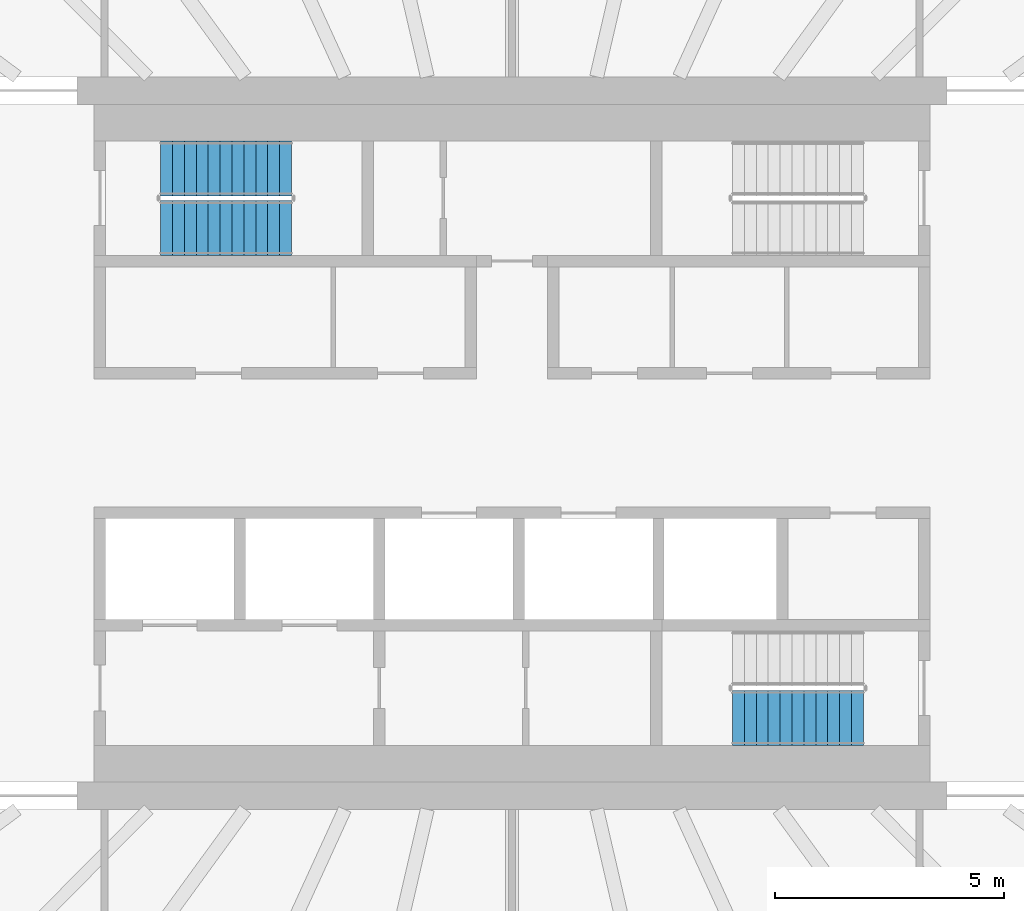
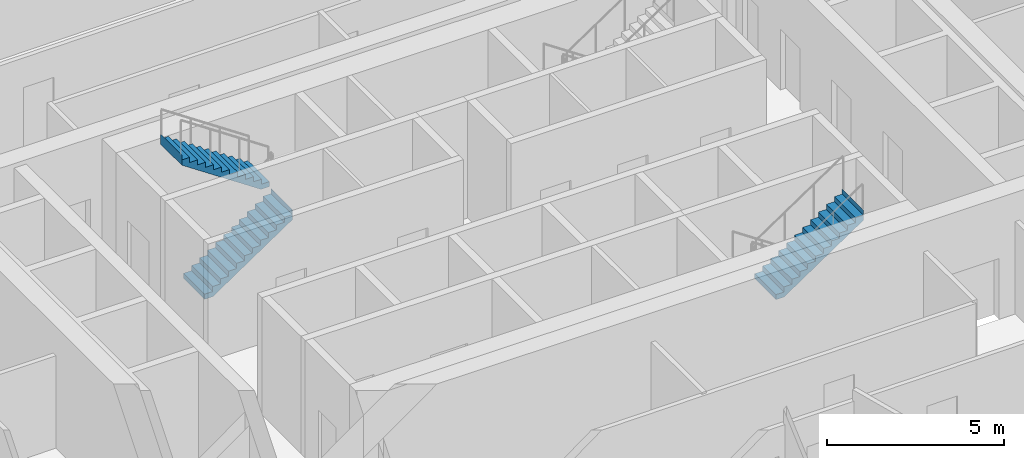
# One storey, part 17 of 24: 3 stair flights, 2 elements without a shape of their own.
"""IFC4 building model written with IfcOpenShell, lengths in metres."""

from ifc_helpers import new_model, si_unit, direction, frame, origin, place, context, subcontext, project, spatial, triangles, material, type_object, element, aggregate, save


model = new_model("IFC4")

# Units and contexts
model_context = context("Model", 3, precision=1e-05, world=origin(), true_north=direction((0.0, 1.0)))
body_context = subcontext(model_context, "Body", "Model", "MODEL_VIEW")
ifc_project = project(units=[si_unit("LENGTHUNIT", "METRE"), si_unit("AREAUNIT", "SQUARE_METRE"), si_unit("VOLUMEUNIT", "CUBIC_METRE"), si_unit("PLANEANGLEUNIT", "RADIAN"), si_unit("MASSUNIT", "GRAM", prefix="KILO")], contexts=[model_context])

# Site, building, storey
site_placement = place(None, origin())
site = spatial("IfcSite", under=ifc_project, at=site_placement, CompositionType="ELEMENT")
building_placement = place(site_placement, origin())
building = spatial("IfcBuilding", under=site, at=building_placement, Name="Sahrelin Media Tower", CompositionType="ELEMENT")
storey_placement = place(building_placement, frame((0.0, 0.0, 71.39990234375)))
storey = spatial("IfcBuildingStorey", under=building, at=storey_placement, Name="L12", CompositionType="ELEMENT", Elevation=71.39990234375)

# Stair, stair flights
ifc_material = material(Name="Concrete C40/50", Category="concrete")
stair_type = type_object("IfcStairType", Name="Exit stair 1200", PredefinedType="HALF_TURN_STAIR", material=ifc_material)
placement = place(storey_placement, origin())
stair_1 = element("IfcStair", 1, at=placement, inside=storey, type_object=stair_type, Name="L12 Exit stair ST1", PredefinedType="HALF_TURN_STAIR")
stair_flight_type = type_object("IfcStairFlightType", Name="Stair flight 1200", PredefinedType="STRAIGHT", material=ifc_material)
stair_flight_1_placement = place(storey_placement, frame((-7.675048828125, 4.699951171875, 0.0), z_axis=(0.0, 0.0, 1.0), x_axis=(1.0, 0.0, 0.0)))
stair_flight_1 = element("IfcStairFlight", 2, at=stair_flight_1_placement, type_object=stair_flight_type, Name="ST1 flight 1", NumberOfRisers=12, NumberOfTreads=11, PredefinedType="STRAIGHT", RiserHeight=0.175, TreadLength=0.26, context=body_context, shape_type="Tessellation", body=[
    triangles([(0.2685546875, 0.60009765625, 0.0), (0.2685546875, 0.300048828125, 0.0), (0.2685546875, 0.0, 0.0), (0.2685546875, -0.300048828125, 0.0), (0.2685546875, -0.60009765625, 0.0), (2.860107421875, 0.60009765625, 1.744384765625), (2.860107421875, 0.300048828125, 1.744384765625), (2.860107421875, 0.0, 1.744384765625), (2.860107421875, -0.300048828125, 1.744384765625), (2.860107421875, -0.60009765625, 1.744384765625), (2.860107421875, 0.60009765625, 2.10009765625), (2.860107421875, 0.300048828125, 2.10009765625), (2.860107421875, 0.0, 2.10009765625), (2.860107421875, -0.300048828125, 2.10009765625), (2.860107421875, -0.60009765625, 2.10009765625), (2.85791015625, 0.60009765625, 2.10009765625), (2.85791015625, 0.300048828125, 2.10009765625), (2.85791015625, 0.0, 2.10009765625), (2.85791015625, -0.300048828125, 2.10009765625), (2.85791015625, -0.60009765625, 2.10009765625), (2.85791015625, 0.60009765625, 1.925048828125), (2.85791015625, 0.300048828125, 1.925048828125), (2.85791015625, 0.0, 1.925048828125), (2.85791015625, -0.300048828125, 1.925048828125), (2.85791015625, -0.60009765625, 1.925048828125), (2.60009765625, 0.60009765625, 1.925048828125), (2.60009765625, 0.300048828125, 1.925048828125), (2.60009765625, 0.0, 1.925048828125), (2.60009765625, -0.300048828125, 1.925048828125), (2.60009765625, -0.60009765625, 1.925048828125), (2.60009765625, 0.60009765625, 1.75), (2.60009765625, 0.300048828125, 1.75), (2.60009765625, 0.0, 1.75), (2.60009765625, -0.300048828125, 1.75), (2.60009765625, -0.60009765625, 1.75), (2.340087890625, 0.60009765625, 1.75), (2.340087890625, 0.300048828125, 1.75), (2.340087890625, 0.0, 1.75), (2.340087890625, -0.300048828125, 1.75), (2.340087890625, -0.60009765625, 1.75), (2.340087890625, 0.60009765625, 1.574951171875), (2.340087890625, 0.300048828125, 1.574951171875), (2.340087890625, 0.0, 1.574951171875), (2.340087890625, -0.300048828125, 1.574951171875), (2.340087890625, -0.60009765625, 1.574951171875), (2.080078125, 0.60009765625, 1.574951171875), (2.080078125, 0.300048828125, 1.574951171875), (2.080078125, 0.0, 1.574951171875), (2.080078125, -0.300048828125, 1.574951171875), (2.080078125, -0.60009765625, 1.574951171875), (2.080078125, 0.60009765625, 1.39990234375), (2.080078125, 0.300048828125, 1.39990234375), (2.080078125, 0.0, 1.39990234375), (2.080078125, -0.300048828125, 1.39990234375), (2.080078125, -0.60009765625, 1.39990234375), (1.820068359375, 0.60009765625, 1.39990234375), (1.820068359375, 0.300048828125, 1.39990234375), (1.820068359375, 0.0, 1.39990234375), (1.820068359375, -0.300048828125, 1.39990234375), (1.820068359375, -0.60009765625, 1.39990234375), (1.820068359375, 0.60009765625, 1.22509765625), (1.820068359375, 0.300048828125, 1.22509765625), (1.820068359375, 0.0, 1.22509765625), (1.820068359375, -0.300048828125, 1.22509765625), (1.820068359375, -0.60009765625, 1.22509765625), (1.56005859375, 0.60009765625, 1.22509765625), (1.56005859375, 0.300048828125, 1.22509765625), (1.56005859375, 0.0, 1.22509765625), (1.56005859375, -0.300048828125, 1.22509765625), (1.56005859375, -0.60009765625, 1.22509765625), (1.56005859375, 0.60009765625, 1.050048828125), (1.56005859375, 0.300048828125, 1.050048828125), (1.56005859375, 0.0, 1.050048828125), (1.56005859375, -0.300048828125, 1.050048828125), (1.56005859375, -0.60009765625, 1.050048828125), (1.300048828125, 0.60009765625, 1.050048828125), (1.300048828125, 0.300048828125, 1.050048828125), (1.300048828125, 0.0, 1.050048828125), (1.300048828125, -0.300048828125, 1.050048828125), (1.300048828125, -0.60009765625, 1.050048828125), (1.300048828125, 0.60009765625, 0.875), (1.300048828125, 0.300048828125, 0.875), (1.300048828125, 0.0, 0.875), (1.300048828125, -0.300048828125, 0.875), (1.300048828125, -0.60009765625, 0.875), (1.0400390625, 0.60009765625, 0.875), (1.0400390625, 0.300048828125, 0.875), (1.0400390625, 0.0, 0.875), (1.0400390625, -0.300048828125, 0.875), (1.0400390625, -0.60009765625, 0.875), (1.0400390625, 0.60009765625, 0.699951171875), (1.0400390625, 0.300048828125, 0.699951171875), (1.0400390625, 0.0, 0.699951171875), (1.0400390625, -0.300048828125, 0.699951171875), (1.0400390625, -0.60009765625, 0.699951171875), (0.780029296875, 0.60009765625, 0.699951171875), (0.780029296875, 0.300048828125, 0.699951171875), (0.780029296875, 0.0, 0.699951171875), (0.780029296875, -0.300048828125, 0.699951171875), (0.780029296875, -0.60009765625, 0.699951171875), (0.780029296875, 0.60009765625, 0.52490234375), (0.780029296875, 0.300048828125, 0.52490234375), (0.780029296875, 0.0, 0.52490234375), (0.780029296875, -0.300048828125, 0.52490234375), (0.780029296875, -0.60009765625, 0.52490234375), (0.52001953125, 0.60009765625, 0.52490234375), (0.52001953125, 0.300048828125, 0.52490234375), (0.52001953125, 0.0, 0.52490234375), (0.52001953125, -0.300048828125, 0.52490234375), (0.52001953125, -0.60009765625, 0.52490234375), (0.52001953125, 0.60009765625, 0.35009765625), (0.52001953125, 0.300048828125, 0.35009765625), (0.52001953125, 0.0, 0.35009765625), (0.52001953125, -0.300048828125, 0.35009765625), (0.52001953125, -0.60009765625, 0.35009765625), (0.260009765625, 0.60009765625, 0.35009765625), (0.260009765625, 0.300048828125, 0.35009765625), (0.260009765625, 0.0, 0.35009765625), (0.260009765625, -0.300048828125, 0.35009765625), (0.260009765625, -0.60009765625, 0.35009765625), (0.260009765625, 0.60009765625, 0.175048828125), (0.260009765625, 0.300048828125, 0.175048828125), (0.260009765625, 0.0, 0.175048828125), (0.260009765625, -0.300048828125, 0.175048828125), (0.260009765625, -0.60009765625, 0.175048828125), (0.0, 0.60009765625, 0.175048828125), (0.0, 0.300048828125, 0.175048828125), (0.0, 0.0, 0.175048828125), (0.0, -0.300048828125, 0.175048828125), (0.0, -0.60009765625, 0.175048828125), (0.0, 0.60009765625, 0.0), (0.0, 0.300048828125, 0.0), (0.0, 0.0, 0.0), (0.0, -0.300048828125, 0.0), (0.0, -0.60009765625, 0.0)], [[1, 6, 7], [1, 7, 2], [2, 7, 8], [2, 8, 3], [3, 8, 9], [3, 9, 4], [4, 9, 10], [4, 10, 5], [6, 11, 12], [6, 12, 7], [7, 12, 13], [7, 13, 8], [8, 13, 14], [8, 14, 9], [9, 14, 15], [9, 15, 10], [11, 16, 17], [11, 17, 12], [12, 17, 18], [12, 18, 13], [13, 18, 19], [13, 19, 14], [14, 19, 20], [14, 20, 15], [16, 21, 22], [16, 22, 17], [17, 22, 23], [17, 23, 18], [18, 23, 24], [18, 24, 19], [19, 24, 25], [19, 25, 20], [21, 26, 27], [21, 27, 22], [22, 27, 28], [22, 28, 23], [23, 28, 29], [23, 29, 24], [24, 29, 30], [24, 30, 25], [26, 31, 32], [26, 32, 27], [27, 32, 33], [27, 33, 28], [28, 33, 34], [28, 34, 29], [29, 34, 35], [29, 35, 30], [31, 36, 37], [31, 37, 32], [32, 37, 38], [32, 38, 33], [33, 38, 39], [33, 39, 34], [34, 39, 40], [34, 40, 35], [36, 41, 42], [36, 42, 37], [37, 42, 43], [37, 43, 38], [38, 43, 44], [38, 44, 39], [39, 44, 45], [39, 45, 40], [41, 46, 47], [41, 47, 42], [42, 47, 48], [42, 48, 43], [43, 48, 49], [43, 49, 44], [44, 49, 50], [44, 50, 45], [46, 51, 52], [46, 52, 47], [47, 52, 53], [47, 53, 48], [48, 53, 54], [48, 54, 49], [49, 54, 55], [49, 55, 50], [51, 56, 57], [51, 57, 52], [52, 57, 58], [52, 58, 53], [53, 58, 59], [53, 59, 54], [54, 59, 60], [54, 60, 55], [56, 61, 62], [56, 62, 57], [57, 62, 63], [57, 63, 58], [58, 63, 64], [58, 64, 59], [59, 64, 65], [59, 65, 60], [61, 66, 67], [61, 67, 62], [62, 67, 68], [62, 68, 63], [63, 68, 69], [63, 69, 64], [64, 69, 70], [64, 70, 65], [66, 71, 72], [66, 72, 67], [67, 72, 73], [67, 73, 68], [68, 73, 74], [68, 74, 69], [69, 74, 75], [69, 75, 70], [71, 76, 77], [71, 77, 72], [72, 77, 78], [72, 78, 73], [73, 78, 79], [73, 79, 74], [74, 79, 80], [74, 80, 75], [76, 81, 82], [76, 82, 77], [77, 82, 83], [77, 83, 78], [78, 83, 84], [78, 84, 79], [79, 84, 85], [79, 85, 80], [81, 86, 87], [81, 87, 82], [82, 87, 88], [82, 88, 83], [83, 88, 89], [83, 89, 84], [84, 89, 90], [84, 90, 85], [86, 91, 92], [86, 92, 87], [87, 92, 93], [87, 93, 88], [88, 93, 94], [88, 94, 89], [89, 94, 95], [89, 95, 90], [91, 96, 97], [91, 97, 92], [92, 97, 98], [92, 98, 93], [93, 98, 99], [93, 99, 94], [94, 99, 100], [94, 100, 95], [96, 101, 102], [96, 102, 97], [97, 102, 103], [97, 103, 98], [98, 103, 104], [98, 104, 99], [99, 104, 105], [99, 105, 100], [101, 106, 107], [101, 107, 102], [102, 107, 108], [102, 108, 103], [103, 108, 109], [103, 109, 104], [104, 109, 110], [104, 110, 105], [106, 111, 112], [106, 112, 107], [107, 112, 113], [107, 113, 108], [108, 113, 114], [108, 114, 109], [109, 114, 115], [109, 115, 110], [111, 116, 117], [111, 117, 112], [112, 117, 118], [112, 118, 113], [113, 118, 119], [113, 119, 114], [114, 119, 120], [114, 120, 115], [116, 121, 122], [116, 122, 117], [117, 122, 123], [117, 123, 118], [118, 123, 124], [118, 124, 119], [119, 124, 125], [119, 125, 120], [121, 126, 127], [121, 127, 122], [122, 127, 128], [122, 128, 123], [123, 128, 129], [123, 129, 124], [124, 129, 130], [124, 130, 125], [126, 131, 132], [126, 132, 127], [127, 132, 133], [127, 133, 128], [128, 133, 134], [128, 134, 129], [129, 134, 135], [129, 135, 130], [131, 1, 2], [131, 2, 132], [132, 2, 3], [132, 3, 133], [133, 3, 4], [133, 4, 134], [134, 4, 5], [134, 5, 135], [125, 130, 135], [121, 131, 126], [125, 115, 120], [121, 116, 111], [115, 105, 110], [111, 106, 101], [105, 95, 100], [101, 96, 91], [95, 85, 90], [91, 86, 81], [85, 75, 80], [81, 76, 71], [75, 65, 70], [71, 66, 61], [65, 55, 60], [61, 56, 51], [55, 45, 50], [51, 46, 41], [45, 35, 40], [41, 36, 31], [35, 25, 30], [31, 26, 21], [25, 15, 20], [21, 16, 11], [135, 5, 125], [131, 121, 1], [95, 105, 5], [91, 1, 101], [5, 10, 75], [1, 71, 6], [10, 35, 45], [6, 41, 31], [25, 10, 15], [21, 11, 6], [115, 125, 5], [111, 1, 121], [75, 85, 5], [71, 1, 81], [35, 10, 25], [31, 21, 6], [105, 115, 5], [101, 1, 111], [45, 55, 10], [41, 6, 51], [85, 95, 5], [81, 1, 91], [65, 10, 55], [61, 51, 6], [10, 65, 75], [6, 71, 61]], closed=True),
])
stair_flight_2_placement = place(storey_placement, frame((-4.81494140625, 6.0, 2.10009765625), z_axis=(0.0, 0.0, 1.0), x_axis=(-1.0, 0.0, 0.0)))
stair_flight_2 = element("IfcStairFlight", 3, at=stair_flight_2_placement, type_object=stair_flight_type, Name="ST1 flight 2", NumberOfRisers=12, NumberOfTreads=11, PredefinedType="STRAIGHT", RiserHeight=0.175, TreadLength=0.26, context=body_context, shape_type="Tessellation", body=[
    triangles([(0.2685546875, 0.60009765625, 0.0), (0.2685546875, 0.300048828125, 0.0), (0.2685546875, 0.0, 0.0), (0.2685546875, -0.300048828125, 0.0), (0.2685546875, -0.60009765625, 0.0), (2.860107421875, 0.60009765625, 1.744384765625), (2.860107421875, 0.300048828125, 1.744384765625), (2.860107421875, 0.0, 1.744384765625), (2.860107421875, -0.300048828125, 1.744384765625), (2.860107421875, -0.60009765625, 1.744384765625), (2.860107421875, 0.60009765625, 2.10009765625), (2.860107421875, 0.300048828125, 2.10009765625), (2.860107421875, 0.0, 2.10009765625), (2.860107421875, -0.300048828125, 2.10009765625), (2.860107421875, -0.60009765625, 2.10009765625), (2.85791015625, 0.60009765625, 2.10009765625), (2.85791015625, 0.300048828125, 2.10009765625), (2.85791015625, 0.0, 2.10009765625), (2.85791015625, -0.300048828125, 2.10009765625), (2.85791015625, -0.60009765625, 2.10009765625), (2.85791015625, 0.60009765625, 1.925048828125), (2.85791015625, 0.300048828125, 1.925048828125), (2.85791015625, 0.0, 1.925048828125), (2.85791015625, -0.300048828125, 1.925048828125), (2.85791015625, -0.60009765625, 1.925048828125), (2.60009765625, 0.60009765625, 1.925048828125), (2.60009765625, 0.300048828125, 1.925048828125), (2.60009765625, 0.0, 1.925048828125), (2.60009765625, -0.300048828125, 1.925048828125), (2.60009765625, -0.60009765625, 1.925048828125), (2.60009765625, 0.60009765625, 1.75), (2.60009765625, 0.300048828125, 1.75), (2.60009765625, 0.0, 1.75), (2.60009765625, -0.300048828125, 1.75), (2.60009765625, -0.60009765625, 1.75), (2.340087890625, 0.60009765625, 1.75), (2.340087890625, 0.300048828125, 1.75), (2.340087890625, 0.0, 1.75), (2.340087890625, -0.300048828125, 1.75), (2.340087890625, -0.60009765625, 1.75), (2.340087890625, 0.60009765625, 1.574951171875), (2.340087890625, 0.300048828125, 1.574951171875), (2.340087890625, 0.0, 1.574951171875), (2.340087890625, -0.300048828125, 1.574951171875), (2.340087890625, -0.60009765625, 1.574951171875), (2.080078125, 0.60009765625, 1.574951171875), (2.080078125, 0.300048828125, 1.574951171875), (2.080078125, 0.0, 1.574951171875), (2.080078125, -0.300048828125, 1.574951171875), (2.080078125, -0.60009765625, 1.574951171875), (2.080078125, 0.60009765625, 1.39990234375), (2.080078125, 0.300048828125, 1.39990234375), (2.080078125, 0.0, 1.39990234375), (2.080078125, -0.300048828125, 1.39990234375), (2.080078125, -0.60009765625, 1.39990234375), (1.820068359375, 0.60009765625, 1.39990234375), (1.820068359375, 0.300048828125, 1.39990234375), (1.820068359375, 0.0, 1.39990234375), (1.820068359375, -0.300048828125, 1.39990234375), (1.820068359375, -0.60009765625, 1.39990234375), (1.820068359375, 0.60009765625, 1.22509765625), (1.820068359375, 0.300048828125, 1.22509765625), (1.820068359375, 0.0, 1.22509765625), (1.820068359375, -0.300048828125, 1.22509765625), (1.820068359375, -0.60009765625, 1.22509765625), (1.56005859375, 0.60009765625, 1.22509765625), (1.56005859375, 0.300048828125, 1.22509765625), (1.56005859375, 0.0, 1.22509765625), (1.56005859375, -0.300048828125, 1.22509765625), (1.56005859375, -0.60009765625, 1.22509765625), (1.56005859375, 0.60009765625, 1.050048828125), (1.56005859375, 0.300048828125, 1.050048828125), (1.56005859375, 0.0, 1.050048828125), (1.56005859375, -0.300048828125, 1.050048828125), (1.56005859375, -0.60009765625, 1.050048828125), (1.300048828125, 0.60009765625, 1.050048828125), (1.300048828125, 0.300048828125, 1.050048828125), (1.300048828125, 0.0, 1.050048828125), (1.300048828125, -0.300048828125, 1.050048828125), (1.300048828125, -0.60009765625, 1.050048828125), (1.300048828125, 0.60009765625, 0.875), (1.300048828125, 0.300048828125, 0.875), (1.300048828125, 0.0, 0.875), (1.300048828125, -0.300048828125, 0.875), (1.300048828125, -0.60009765625, 0.875), (1.0400390625, 0.60009765625, 0.875), (1.0400390625, 0.300048828125, 0.875), (1.0400390625, 0.0, 0.875), (1.0400390625, -0.300048828125, 0.875), (1.0400390625, -0.60009765625, 0.875), (1.0400390625, 0.60009765625, 0.699951171875), (1.0400390625, 0.300048828125, 0.699951171875), (1.0400390625, 0.0, 0.699951171875), (1.0400390625, -0.300048828125, 0.699951171875), (1.0400390625, -0.60009765625, 0.699951171875), (0.780029296875, 0.60009765625, 0.699951171875), (0.780029296875, 0.300048828125, 0.699951171875), (0.780029296875, 0.0, 0.699951171875), (0.780029296875, -0.300048828125, 0.699951171875), (0.780029296875, -0.60009765625, 0.699951171875), (0.780029296875, 0.60009765625, 0.52490234375), (0.780029296875, 0.300048828125, 0.52490234375), (0.780029296875, 0.0, 0.52490234375), (0.780029296875, -0.300048828125, 0.52490234375), (0.780029296875, -0.60009765625, 0.52490234375), (0.52001953125, 0.60009765625, 0.52490234375), (0.52001953125, 0.300048828125, 0.52490234375), (0.52001953125, 0.0, 0.52490234375), (0.52001953125, -0.300048828125, 0.52490234375), (0.52001953125, -0.60009765625, 0.52490234375), (0.52001953125, 0.60009765625, 0.35009765625), (0.52001953125, 0.300048828125, 0.35009765625), (0.52001953125, 0.0, 0.35009765625), (0.52001953125, -0.300048828125, 0.35009765625), (0.52001953125, -0.60009765625, 0.35009765625), (0.260009765625, 0.60009765625, 0.35009765625), (0.260009765625, 0.300048828125, 0.35009765625), (0.260009765625, 0.0, 0.35009765625), (0.260009765625, -0.300048828125, 0.35009765625), (0.260009765625, -0.60009765625, 0.35009765625), (0.260009765625, 0.60009765625, 0.175048828125), (0.260009765625, 0.300048828125, 0.175048828125), (0.260009765625, 0.0, 0.175048828125), (0.260009765625, -0.300048828125, 0.175048828125), (0.260009765625, -0.60009765625, 0.175048828125), (0.0, 0.60009765625, 0.175048828125), (0.0, 0.300048828125, 0.175048828125), (0.0, 0.0, 0.175048828125), (0.0, -0.300048828125, 0.175048828125), (0.0, -0.60009765625, 0.175048828125), (0.0, 0.60009765625, 0.0), (0.0, 0.300048828125, 0.0), (0.0, 0.0, 0.0), (0.0, -0.300048828125, 0.0), (0.0, -0.60009765625, 0.0)], [[1, 6, 7], [1, 7, 2], [2, 7, 8], [2, 8, 3], [3, 8, 9], [3, 9, 4], [4, 9, 10], [4, 10, 5], [6, 11, 12], [6, 12, 7], [7, 12, 13], [7, 13, 8], [8, 13, 14], [8, 14, 9], [9, 14, 15], [9, 15, 10], [11, 16, 17], [11, 17, 12], [12, 17, 18], [12, 18, 13], [13, 18, 19], [13, 19, 14], [14, 19, 20], [14, 20, 15], [16, 21, 22], [16, 22, 17], [17, 22, 23], [17, 23, 18], [18, 23, 24], [18, 24, 19], [19, 24, 25], [19, 25, 20], [21, 26, 27], [21, 27, 22], [22, 27, 28], [22, 28, 23], [23, 28, 29], [23, 29, 24], [24, 29, 30], [24, 30, 25], [26, 31, 32], [26, 32, 27], [27, 32, 33], [27, 33, 28], [28, 33, 34], [28, 34, 29], [29, 34, 35], [29, 35, 30], [31, 36, 37], [31, 37, 32], [32, 37, 38], [32, 38, 33], [33, 38, 39], [33, 39, 34], [34, 39, 40], [34, 40, 35], [36, 41, 42], [36, 42, 37], [37, 42, 43], [37, 43, 38], [38, 43, 44], [38, 44, 39], [39, 44, 45], [39, 45, 40], [41, 46, 47], [41, 47, 42], [42, 47, 48], [42, 48, 43], [43, 48, 49], [43, 49, 44], [44, 49, 50], [44, 50, 45], [46, 51, 52], [46, 52, 47], [47, 52, 53], [47, 53, 48], [48, 53, 54], [48, 54, 49], [49, 54, 55], [49, 55, 50], [51, 56, 57], [51, 57, 52], [52, 57, 58], [52, 58, 53], [53, 58, 59], [53, 59, 54], [54, 59, 60], [54, 60, 55], [56, 61, 62], [56, 62, 57], [57, 62, 63], [57, 63, 58], [58, 63, 64], [58, 64, 59], [59, 64, 65], [59, 65, 60], [61, 66, 67], [61, 67, 62], [62, 67, 68], [62, 68, 63], [63, 68, 69], [63, 69, 64], [64, 69, 70], [64, 70, 65], [66, 71, 72], [66, 72, 67], [67, 72, 73], [67, 73, 68], [68, 73, 74], [68, 74, 69], [69, 74, 75], [69, 75, 70], [71, 76, 77], [71, 77, 72], [72, 77, 78], [72, 78, 73], [73, 78, 79], [73, 79, 74], [74, 79, 80], [74, 80, 75], [76, 81, 82], [76, 82, 77], [77, 82, 83], [77, 83, 78], [78, 83, 84], [78, 84, 79], [79, 84, 85], [79, 85, 80], [81, 86, 87], [81, 87, 82], [82, 87, 88], [82, 88, 83], [83, 88, 89], [83, 89, 84], [84, 89, 90], [84, 90, 85], [86, 91, 92], [86, 92, 87], [87, 92, 93], [87, 93, 88], [88, 93, 94], [88, 94, 89], [89, 94, 95], [89, 95, 90], [91, 96, 97], [91, 97, 92], [92, 97, 98], [92, 98, 93], [93, 98, 99], [93, 99, 94], [94, 99, 100], [94, 100, 95], [96, 101, 102], [96, 102, 97], [97, 102, 103], [97, 103, 98], [98, 103, 104], [98, 104, 99], [99, 104, 105], [99, 105, 100], [101, 106, 107], [101, 107, 102], [102, 107, 108], [102, 108, 103], [103, 108, 109], [103, 109, 104], [104, 109, 110], [104, 110, 105], [106, 111, 112], [106, 112, 107], [107, 112, 113], [107, 113, 108], [108, 113, 114], [108, 114, 109], [109, 114, 115], [109, 115, 110], [111, 116, 117], [111, 117, 112], [112, 117, 118], [112, 118, 113], [113, 118, 119], [113, 119, 114], [114, 119, 120], [114, 120, 115], [116, 121, 122], [116, 122, 117], [117, 122, 123], [117, 123, 118], [118, 123, 124], [118, 124, 119], [119, 124, 125], [119, 125, 120], [121, 126, 127], [121, 127, 122], [122, 127, 128], [122, 128, 123], [123, 128, 129], [123, 129, 124], [124, 129, 130], [124, 130, 125], [126, 131, 132], [126, 132, 127], [127, 132, 133], [127, 133, 128], [128, 133, 134], [128, 134, 129], [129, 134, 135], [129, 135, 130], [131, 1, 2], [131, 2, 132], [132, 2, 3], [132, 3, 133], [133, 3, 4], [133, 4, 134], [134, 4, 5], [134, 5, 135], [125, 130, 135], [121, 131, 126], [125, 115, 120], [121, 116, 111], [115, 105, 110], [111, 106, 101], [105, 95, 100], [101, 96, 91], [95, 85, 90], [91, 86, 81], [85, 75, 80], [81, 76, 71], [75, 65, 70], [71, 66, 61], [65, 55, 60], [61, 56, 51], [55, 45, 50], [51, 46, 41], [45, 35, 40], [41, 36, 31], [35, 25, 30], [31, 26, 21], [25, 15, 20], [21, 16, 11], [135, 5, 125], [131, 121, 1], [95, 105, 5], [91, 1, 101], [5, 10, 75], [1, 71, 6], [10, 35, 45], [6, 41, 31], [25, 10, 15], [21, 11, 6], [115, 125, 5], [111, 1, 121], [75, 85, 5], [71, 1, 81], [35, 10, 25], [31, 21, 6], [105, 115, 5], [101, 1, 111], [45, 55, 10], [41, 6, 51], [85, 95, 5], [81, 1, 91], [65, 10, 55], [61, 51, 6], [10, 65, 75], [6, 71, 61]], closed=True),
])
aggregate(stair_1, [stair_flight_1, stair_flight_2])

# Stair, stair flight
stair_2 = element("IfcStair", 4, at=placement, inside=storey, type_object=stair_type, Name="L12 Exit stair ST2", PredefinedType="HALF_TURN_STAIR")
stair_flight_3_placement = place(storey_placement, frame((4.81494140625, -6.0, 2.10009765625), z_axis=(0.0, 0.0, 1.0), x_axis=(1.0, 0.0, 0.0)))
stair_flight_3 = element("IfcStairFlight", 5, at=stair_flight_3_placement, type_object=stair_flight_type, Name="ST2 flight 2", NumberOfRisers=12, NumberOfTreads=11, PredefinedType="STRAIGHT", RiserHeight=0.175, TreadLength=0.26, context=body_context, shape_type="Tessellation", body=[
    triangles([(0.2685546875, 0.60009765625, 0.0), (0.2685546875, 0.300048828125, 0.0), (0.2685546875, 0.0, 0.0), (0.2685546875, -0.300048828125, 0.0), (0.2685546875, -0.60009765625, 0.0), (2.860107421875, 0.60009765625, 1.744384765625), (2.860107421875, 0.300048828125, 1.744384765625), (2.860107421875, 0.0, 1.744384765625), (2.860107421875, -0.300048828125, 1.744384765625), (2.860107421875, -0.60009765625, 1.744384765625), (2.860107421875, 0.60009765625, 2.10009765625), (2.860107421875, 0.300048828125, 2.10009765625), (2.860107421875, 0.0, 2.10009765625), (2.860107421875, -0.300048828125, 2.10009765625), (2.860107421875, -0.60009765625, 2.10009765625), (2.85791015625, 0.60009765625, 2.10009765625), (2.85791015625, 0.300048828125, 2.10009765625), (2.85791015625, 0.0, 2.10009765625), (2.85791015625, -0.300048828125, 2.10009765625), (2.85791015625, -0.60009765625, 2.10009765625), (2.85791015625, 0.60009765625, 1.925048828125), (2.85791015625, 0.300048828125, 1.925048828125), (2.85791015625, 0.0, 1.925048828125), (2.85791015625, -0.300048828125, 1.925048828125), (2.85791015625, -0.60009765625, 1.925048828125), (2.60009765625, 0.60009765625, 1.925048828125), (2.60009765625, 0.300048828125, 1.925048828125), (2.60009765625, 0.0, 1.925048828125), (2.60009765625, -0.300048828125, 1.925048828125), (2.60009765625, -0.60009765625, 1.925048828125), (2.60009765625, 0.60009765625, 1.75), (2.60009765625, 0.300048828125, 1.75), (2.60009765625, 0.0, 1.75), (2.60009765625, -0.300048828125, 1.75), (2.60009765625, -0.60009765625, 1.75), (2.340087890625, 0.60009765625, 1.75), (2.340087890625, 0.300048828125, 1.75), (2.340087890625, 0.0, 1.75), (2.340087890625, -0.300048828125, 1.75), (2.340087890625, -0.60009765625, 1.75), (2.340087890625, 0.60009765625, 1.574951171875), (2.340087890625, 0.300048828125, 1.574951171875), (2.340087890625, 0.0, 1.574951171875), (2.340087890625, -0.300048828125, 1.574951171875), (2.340087890625, -0.60009765625, 1.574951171875), (2.080078125, 0.60009765625, 1.574951171875), (2.080078125, 0.300048828125, 1.574951171875), (2.080078125, 0.0, 1.574951171875), (2.080078125, -0.300048828125, 1.574951171875), (2.080078125, -0.60009765625, 1.574951171875), (2.080078125, 0.60009765625, 1.39990234375), (2.080078125, 0.300048828125, 1.39990234375), (2.080078125, 0.0, 1.39990234375), (2.080078125, -0.300048828125, 1.39990234375), (2.080078125, -0.60009765625, 1.39990234375), (1.820068359375, 0.60009765625, 1.39990234375), (1.820068359375, 0.300048828125, 1.39990234375), (1.820068359375, 0.0, 1.39990234375), (1.820068359375, -0.300048828125, 1.39990234375), (1.820068359375, -0.60009765625, 1.39990234375), (1.820068359375, 0.60009765625, 1.22509765625), (1.820068359375, 0.300048828125, 1.22509765625), (1.820068359375, 0.0, 1.22509765625), (1.820068359375, -0.300048828125, 1.22509765625), (1.820068359375, -0.60009765625, 1.22509765625), (1.56005859375, 0.60009765625, 1.22509765625), (1.56005859375, 0.300048828125, 1.22509765625), (1.56005859375, 0.0, 1.22509765625), (1.56005859375, -0.300048828125, 1.22509765625), (1.56005859375, -0.60009765625, 1.22509765625), (1.56005859375, 0.60009765625, 1.050048828125), (1.56005859375, 0.300048828125, 1.050048828125), (1.56005859375, 0.0, 1.050048828125), (1.56005859375, -0.300048828125, 1.050048828125), (1.56005859375, -0.60009765625, 1.050048828125), (1.300048828125, 0.60009765625, 1.050048828125), (1.300048828125, 0.300048828125, 1.050048828125), (1.300048828125, 0.0, 1.050048828125), (1.300048828125, -0.300048828125, 1.050048828125), (1.300048828125, -0.60009765625, 1.050048828125), (1.300048828125, 0.60009765625, 0.875), (1.300048828125, 0.300048828125, 0.875), (1.300048828125, 0.0, 0.875), (1.300048828125, -0.300048828125, 0.875), (1.300048828125, -0.60009765625, 0.875), (1.0400390625, 0.60009765625, 0.875), (1.0400390625, 0.300048828125, 0.875), (1.0400390625, 0.0, 0.875), (1.0400390625, -0.300048828125, 0.875), (1.0400390625, -0.60009765625, 0.875), (1.0400390625, 0.60009765625, 0.699951171875), (1.0400390625, 0.300048828125, 0.699951171875), (1.0400390625, 0.0, 0.699951171875), (1.0400390625, -0.300048828125, 0.699951171875), (1.0400390625, -0.60009765625, 0.699951171875), (0.780029296875, 0.60009765625, 0.699951171875), (0.780029296875, 0.300048828125, 0.699951171875), (0.780029296875, 0.0, 0.699951171875), (0.780029296875, -0.300048828125, 0.699951171875), (0.780029296875, -0.60009765625, 0.699951171875), (0.780029296875, 0.60009765625, 0.52490234375), (0.780029296875, 0.300048828125, 0.52490234375), (0.780029296875, 0.0, 0.52490234375), (0.780029296875, -0.300048828125, 0.52490234375), (0.780029296875, -0.60009765625, 0.52490234375), (0.52001953125, 0.60009765625, 0.52490234375), (0.52001953125, 0.300048828125, 0.52490234375), (0.52001953125, 0.0, 0.52490234375), (0.52001953125, -0.300048828125, 0.52490234375), (0.52001953125, -0.60009765625, 0.52490234375), (0.52001953125, 0.60009765625, 0.35009765625), (0.52001953125, 0.300048828125, 0.35009765625), (0.52001953125, 0.0, 0.35009765625), (0.52001953125, -0.300048828125, 0.35009765625), (0.52001953125, -0.60009765625, 0.35009765625), (0.260009765625, 0.60009765625, 0.35009765625), (0.260009765625, 0.300048828125, 0.35009765625), (0.260009765625, 0.0, 0.35009765625), (0.260009765625, -0.300048828125, 0.35009765625), (0.260009765625, -0.60009765625, 0.35009765625), (0.260009765625, 0.60009765625, 0.175048828125), (0.260009765625, 0.300048828125, 0.175048828125), (0.260009765625, 0.0, 0.175048828125), (0.260009765625, -0.300048828125, 0.175048828125), (0.260009765625, -0.60009765625, 0.175048828125), (0.0, 0.60009765625, 0.175048828125), (0.0, 0.300048828125, 0.175048828125), (0.0, 0.0, 0.175048828125), (0.0, -0.300048828125, 0.175048828125), (0.0, -0.60009765625, 0.175048828125), (0.0, 0.60009765625, 0.0), (0.0, 0.300048828125, 0.0), (0.0, 0.0, 0.0), (0.0, -0.300048828125, 0.0), (0.0, -0.60009765625, 0.0)], [[1, 6, 7], [1, 7, 2], [2, 7, 8], [2, 8, 3], [3, 8, 9], [3, 9, 4], [4, 9, 10], [4, 10, 5], [6, 11, 12], [6, 12, 7], [7, 12, 13], [7, 13, 8], [8, 13, 14], [8, 14, 9], [9, 14, 15], [9, 15, 10], [11, 16, 17], [11, 17, 12], [12, 17, 18], [12, 18, 13], [13, 18, 19], [13, 19, 14], [14, 19, 20], [14, 20, 15], [16, 21, 22], [16, 22, 17], [17, 22, 23], [17, 23, 18], [18, 23, 24], [18, 24, 19], [19, 24, 25], [19, 25, 20], [21, 26, 27], [21, 27, 22], [22, 27, 28], [22, 28, 23], [23, 28, 29], [23, 29, 24], [24, 29, 30], [24, 30, 25], [26, 31, 32], [26, 32, 27], [27, 32, 33], [27, 33, 28], [28, 33, 34], [28, 34, 29], [29, 34, 35], [29, 35, 30], [31, 36, 37], [31, 37, 32], [32, 37, 38], [32, 38, 33], [33, 38, 39], [33, 39, 34], [34, 39, 40], [34, 40, 35], [36, 41, 42], [36, 42, 37], [37, 42, 43], [37, 43, 38], [38, 43, 44], [38, 44, 39], [39, 44, 45], [39, 45, 40], [41, 46, 47], [41, 47, 42], [42, 47, 48], [42, 48, 43], [43, 48, 49], [43, 49, 44], [44, 49, 50], [44, 50, 45], [46, 51, 52], [46, 52, 47], [47, 52, 53], [47, 53, 48], [48, 53, 54], [48, 54, 49], [49, 54, 55], [49, 55, 50], [51, 56, 57], [51, 57, 52], [52, 57, 58], [52, 58, 53], [53, 58, 59], [53, 59, 54], [54, 59, 60], [54, 60, 55], [56, 61, 62], [56, 62, 57], [57, 62, 63], [57, 63, 58], [58, 63, 64], [58, 64, 59], [59, 64, 65], [59, 65, 60], [61, 66, 67], [61, 67, 62], [62, 67, 68], [62, 68, 63], [63, 68, 69], [63, 69, 64], [64, 69, 70], [64, 70, 65], [66, 71, 72], [66, 72, 67], [67, 72, 73], [67, 73, 68], [68, 73, 74], [68, 74, 69], [69, 74, 75], [69, 75, 70], [71, 76, 77], [71, 77, 72], [72, 77, 78], [72, 78, 73], [73, 78, 79], [73, 79, 74], [74, 79, 80], [74, 80, 75], [76, 81, 82], [76, 82, 77], [77, 82, 83], [77, 83, 78], [78, 83, 84], [78, 84, 79], [79, 84, 85], [79, 85, 80], [81, 86, 87], [81, 87, 82], [82, 87, 88], [82, 88, 83], [83, 88, 89], [83, 89, 84], [84, 89, 90], [84, 90, 85], [86, 91, 92], [86, 92, 87], [87, 92, 93], [87, 93, 88], [88, 93, 94], [88, 94, 89], [89, 94, 95], [89, 95, 90], [91, 96, 97], [91, 97, 92], [92, 97, 98], [92, 98, 93], [93, 98, 99], [93, 99, 94], [94, 99, 100], [94, 100, 95], [96, 101, 102], [96, 102, 97], [97, 102, 103], [97, 103, 98], [98, 103, 104], [98, 104, 99], [99, 104, 105], [99, 105, 100], [101, 106, 107], [101, 107, 102], [102, 107, 108], [102, 108, 103], [103, 108, 109], [103, 109, 104], [104, 109, 110], [104, 110, 105], [106, 111, 112], [106, 112, 107], [107, 112, 113], [107, 113, 108], [108, 113, 114], [108, 114, 109], [109, 114, 115], [109, 115, 110], [111, 116, 117], [111, 117, 112], [112, 117, 118], [112, 118, 113], [113, 118, 119], [113, 119, 114], [114, 119, 120], [114, 120, 115], [116, 121, 122], [116, 122, 117], [117, 122, 123], [117, 123, 118], [118, 123, 124], [118, 124, 119], [119, 124, 125], [119, 125, 120], [121, 126, 127], [121, 127, 122], [122, 127, 128], [122, 128, 123], [123, 128, 129], [123, 129, 124], [124, 129, 130], [124, 130, 125], [126, 131, 132], [126, 132, 127], [127, 132, 133], [127, 133, 128], [128, 133, 134], [128, 134, 129], [129, 134, 135], [129, 135, 130], [131, 1, 2], [131, 2, 132], [132, 2, 3], [132, 3, 133], [133, 3, 4], [133, 4, 134], [134, 4, 5], [134, 5, 135], [125, 130, 135], [121, 131, 126], [125, 115, 120], [121, 116, 111], [115, 105, 110], [111, 106, 101], [105, 95, 100], [101, 96, 91], [95, 85, 90], [91, 86, 81], [85, 75, 80], [81, 76, 71], [75, 65, 70], [71, 66, 61], [65, 55, 60], [61, 56, 51], [55, 45, 50], [51, 46, 41], [45, 35, 40], [41, 36, 31], [35, 25, 30], [31, 26, 21], [25, 15, 20], [21, 16, 11], [135, 5, 125], [131, 121, 1], [95, 105, 5], [91, 1, 101], [5, 10, 75], [1, 71, 6], [10, 35, 45], [6, 41, 31], [25, 10, 15], [21, 11, 6], [115, 125, 5], [111, 1, 121], [75, 85, 5], [71, 1, 81], [35, 10, 25], [31, 21, 6], [105, 115, 5], [101, 1, 111], [45, 55, 10], [41, 6, 51], [85, 95, 5], [81, 1, 91], [65, 10, 55], [61, 51, 6], [10, 65, 75], [6, 71, 61]], closed=True),
])
aggregate(stair_2, [stair_flight_3])

save(model, "model.ifc")
